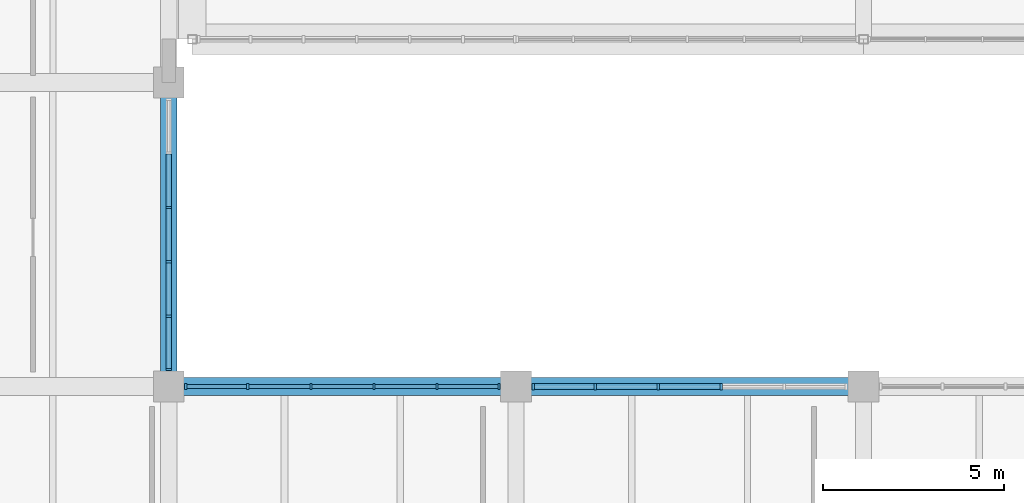
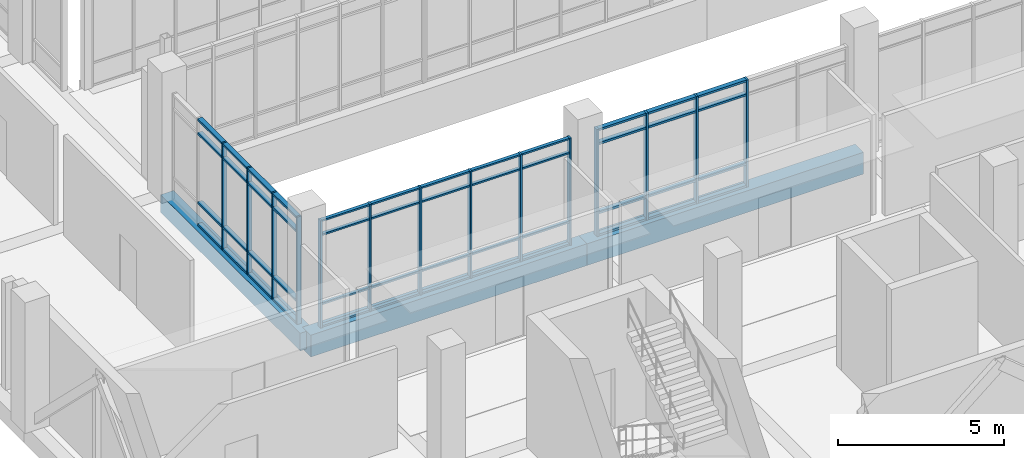
# One storey, part 44 of 152: 62 members, 3 beams, 3 elements without a shape of their own.
"""IFC4 building model written with IfcOpenShell, lengths in metres."""

from ifc_helpers import new_model, si_unit, direction, frame, origin, origin_2d, place, context, subcontext, project, spatial, rectangle, extrude, material, material_profile, profile_set, type_object, element, aggregate, save


model = new_model("IFC4")

# Units and contexts
model_context = context("Model", 3, precision=1e-05, world=origin(), true_north=direction((0.0, 1.0)))
body_context = subcontext(model_context, "Body", "Model", "MODEL_VIEW")
ifc_project = project(units=[si_unit("LENGTHUNIT", "METRE"), si_unit("AREAUNIT", "SQUARE_METRE"), si_unit("VOLUMEUNIT", "CUBIC_METRE"), si_unit("PLANEANGLEUNIT", "RADIAN"), si_unit("MASSUNIT", "GRAM", prefix="KILO")], contexts=[model_context])

# Site, building, storey
site_placement = place(None, origin())
site = spatial("IfcSite", under=ifc_project, at=site_placement, CompositionType="ELEMENT")
building_placement = place(site_placement, origin())
building = spatial("IfcBuilding", under=site, at=building_placement, Name="Oolite Switchyard Hospital", CompositionType="ELEMENT")
storey_placement = place(building_placement, frame((0.0, 0.0, 5.10009765625)))
storey = spatial("IfcBuildingStorey", under=building, at=storey_placement, Name="L01", CompositionType="ELEMENT", Elevation=5.10009765625)

# Beams
ifc_material_1 = material(Name="Concrete C40/50", Category="concrete")
ifc_material_profile_1 = material_profile(ifc_material_1, rectangle(XDim=0.449951171875, YDim=0.64990234375, at=origin_2d()), Name="RCB450X650")
ifc_profile_set_1 = profile_set([ifc_material_profile_1], Name="Concrete C40/50")
beam_type_1 = type_object("IfcBeamType", Name="BM-RC450X650", PredefinedType="BEAM", material=ifc_profile_set_1)
beam_1_placement = place(storey_placement, frame((144.0, 25.199951171875, -0.3251953125), z_axis=(0.0, 1.0, 0.0), x_axis=(-1.0, 0.0, 0.0)))
element("IfcBeam", 1, at=beam_1_placement, inside=storey, type_object=beam_type_1, Name="L01 Y-Girder 461", PredefinedType="BEAM", context=body_context, shape_type="SweptSolid", body=[
    extrude(rectangle(XDim=0.449951171875, YDim=0.64990234375, at=origin_2d()), origin(), (0.0, 0.0, 1.0), 8.400146484375),
])
ifc_material_profile_2 = material_profile(ifc_material_1, rectangle(XDim=0.5, YDim=0.800048828125, at=origin_2d()), Name="RCB500X800")
ifc_profile_set_2 = profile_set([ifc_material_profile_2], Name="Concrete C40/50")
beam_type_2 = type_object("IfcBeamType", Name="BM-RC500X800", PredefinedType="BEAM", material=ifc_profile_set_2)
beam_2_placement = place(storey_placement, frame((144.0, 25.199951171875, -0.400146484375), z_axis=(1.0, 0.0, 0.0), x_axis=(0.0, 1.0, 0.0)))
element("IfcBeam", 2, at=beam_2_placement, inside=storey, type_object=beam_type_2, Name="L01 X-Girder 55", PredefinedType="BEAM", context=body_context, shape_type="SweptSolid", body=[
    extrude(rectangle(XDim=0.5, YDim=0.800048828125, at=origin_2d()), origin(), (0.0, 0.0, 1.0), 9.60009765625),
])
beam_3_placement = place(storey_placement, frame((153.60009765625, 25.199951171875, -0.400146484375), z_axis=(1.0, 0.0, 0.0), x_axis=(0.0, 1.0, 0.0)))
element("IfcBeam", 3, at=beam_3_placement, inside=storey, type_object=beam_type_2, Name="L01 X-Girder 56", PredefinedType="BEAM", context=body_context, shape_type="SweptSolid", body=[
    extrude(rectangle(XDim=0.5, YDim=0.800048828125, at=origin_2d()), origin(), (0.0, 0.0, 1.0), 9.599853515625),
])

# Curtain wall, members
ifc_material_2 = material(Name="Thermally broken aluminum frame with laminated impact glazing", Category="aluminium")
curtain_wall_type_1 = type_object("IfcCurtainWallType", Name="CW-UNIT-96X48", PredefinedType="USERDEFINED", material=ifc_material_2)
curtain_wall_1_placement = place(storey_placement, origin())
curtain_wall_1 = element("IfcCurtainWall", 4, at=curtain_wall_1_placement, inside=storey, type_object=curtain_wall_type_1, Name="L01 Unitised Curtain Wall 104", ObjectType="UNITISED", PredefinedType="USERDEFINED")
ifc_material_3 = material(Name="Aluminium 6063-T6", Category="aluminium")
ifc_material_profile_3 = material_profile(ifc_material_3, rectangle(XDim=0.159912109375, YDim=0.06005859375, at=origin_2d()), Name="CWM60X160")
ifc_profile_set_3 = profile_set([ifc_material_profile_3], Name="Aluminium 6063-T6")
member_type_1 = type_object("IfcMemberType", Name="CW-MUL-180", PredefinedType="MULLION", material=ifc_profile_set_3)
member_1_placement = place(storey_placement, frame((144.469970703125, 25.199951171875, 0.0), z_axis=(0.0, 0.0, 1.0), x_axis=(0.0, 1.0, 0.0)))
member_1 = element("IfcMember", 5, at=member_1_placement, type_object=member_type_1, Name="CW-02 mullion 1", PredefinedType="MULLION", context=body_context, shape_type="SweptSolid", body=[
    extrude(rectangle(XDim=0.159912109375, YDim=0.06005859375, at=origin_2d()), origin(), (0.0, 0.0, 1.0), 3.93994140625),
])
member_2_placement = place(storey_placement, frame((146.18408203125, 25.199951171875, 0.0), z_axis=(0.0, 0.0, 1.0), x_axis=(0.0, 1.0, 0.0)))
member_2 = element("IfcMember", 6, at=member_2_placement, type_object=member_type_1, Name="CW-02 mullion 2", PredefinedType="MULLION", context=body_context, shape_type="SweptSolid", body=[
    extrude(rectangle(XDim=0.159912109375, YDim=0.06005859375, at=origin_2d()), origin(), (0.0, 0.0, 1.0), 3.93994140625),
])
member_3_placement = place(storey_placement, frame((147.927978515625, 25.199951171875, 0.0), z_axis=(0.0, 0.0, 1.0), x_axis=(0.0, 1.0, 0.0)))
member_3 = element("IfcMember", 7, at=member_3_placement, type_object=member_type_1, Name="CW-02 mullion 3", PredefinedType="MULLION", context=body_context, shape_type="SweptSolid", body=[
    extrude(rectangle(XDim=0.159912109375, YDim=0.06005859375, at=origin_2d()), origin(), (0.0, 0.0, 1.0), 3.93994140625),
])
member_4_placement = place(storey_placement, frame((149.672119140625, 25.199951171875, 0.0), z_axis=(0.0, 0.0, 1.0), x_axis=(0.0, 1.0, 0.0)))
member_4 = element("IfcMember", 8, at=member_4_placement, type_object=member_type_1, Name="CW-02 mullion 4", PredefinedType="MULLION", context=body_context, shape_type="SweptSolid", body=[
    extrude(rectangle(XDim=0.159912109375, YDim=0.06005859375, at=origin_2d()), origin(), (0.0, 0.0, 1.0), 3.93994140625),
])
member_5_placement = place(storey_placement, frame((151.416015625, 25.199951171875, 0.0), z_axis=(0.0, 0.0, 1.0), x_axis=(0.0, 1.0, 0.0)))
member_5 = element("IfcMember", 9, at=member_5_placement, type_object=member_type_1, Name="CW-02 mullion 5", PredefinedType="MULLION", context=body_context, shape_type="SweptSolid", body=[
    extrude(rectangle(XDim=0.159912109375, YDim=0.06005859375, at=origin_2d()), origin(), (0.0, 0.0, 1.0), 3.93994140625),
])
member_6_placement = place(storey_placement, frame((153.1298828125, 25.199951171875, 0.0), z_axis=(0.0, 0.0, 1.0), x_axis=(0.0, 1.0, 0.0)))
member_6 = element("IfcMember", 10, at=member_6_placement, type_object=member_type_1, Name="CW-02 mullion 6", PredefinedType="MULLION", context=body_context, shape_type="SweptSolid", body=[
    extrude(rectangle(XDim=0.159912109375, YDim=0.06005859375, at=origin_2d()), origin(), (0.0, 0.0, 1.0), 3.93994140625),
])

curtain_wall_type_2 = type_object("IfcCurtainWallType", Name="CW-UNIT-84X48", PredefinedType="USERDEFINED", material=ifc_material_2)
curtain_wall_2_placement = place(storey_placement, origin())
curtain_wall_2 = element("IfcCurtainWall", 11, at=curtain_wall_2_placement, inside=storey, type_object=curtain_wall_type_2, Name="L01 Unitised Curtain Wall 191", ObjectType="UNITISED", PredefinedType="USERDEFINED")
member_7_placement = place(storey_placement, frame((144.0, 30.152099609375, 0.0), z_axis=(0.0, 0.0, 1.0), x_axis=(1.0, 0.0, 0.0)))
member_7 = element("IfcMember", 12, at=member_7_placement, type_object=member_type_1, Name="CW-07 mullion 3", PredefinedType="MULLION", context=body_context, shape_type="SweptSolid", body=[
    extrude(rectangle(XDim=0.159912109375, YDim=0.06005859375, at=origin_2d()), origin(), (0.0, 0.0, 1.0), 3.93994140625),
])
member_8_placement = place(storey_placement, frame((144.0, 28.64794921875, 0.0), z_axis=(0.0, 0.0, 1.0), x_axis=(1.0, 0.0, 0.0)))
member_8 = element("IfcMember", 13, at=member_8_placement, type_object=member_type_1, Name="CW-07 mullion 4", PredefinedType="MULLION", context=body_context, shape_type="SweptSolid", body=[
    extrude(rectangle(XDim=0.159912109375, YDim=0.06005859375, at=origin_2d()), origin(), (0.0, 0.0, 1.0), 3.93994140625),
])
member_9_placement = place(storey_placement, frame((144.0, 27.14404296875, 0.0), z_axis=(0.0, 0.0, 1.0), x_axis=(1.0, 0.0, 0.0)))
member_9 = element("IfcMember", 14, at=member_9_placement, type_object=member_type_1, Name="CW-07 mullion 5", PredefinedType="MULLION", context=body_context, shape_type="SweptSolid", body=[
    extrude(rectangle(XDim=0.159912109375, YDim=0.06005859375, at=origin_2d()), origin(), (0.0, 0.0, 1.0), 3.93994140625),
])
member_10_placement = place(storey_placement, frame((144.0, 25.669921875, 0.0), z_axis=(0.0, 0.0, 1.0), x_axis=(1.0, 0.0, 0.0)))
member_10 = element("IfcMember", 15, at=member_10_placement, type_object=member_type_1, Name="CW-07 mullion 6", PredefinedType="MULLION", context=body_context, shape_type="SweptSolid", body=[
    extrude(rectangle(XDim=0.159912109375, YDim=0.06005859375, at=origin_2d()), origin(), (0.0, 0.0, 1.0), 3.93994140625),
])

curtain_wall_3_placement = place(storey_placement, origin())
curtain_wall_3 = element("IfcCurtainWall", 16, at=curtain_wall_3_placement, inside=storey, type_object=curtain_wall_type_1, Name="L01 Unitised Curtain Wall 105", ObjectType="UNITISED", PredefinedType="USERDEFINED")
ifc_material_profile_4 = material_profile(ifc_material_3, rectangle(XDim=0.179931640625, YDim=0.070068359375, at=origin_2d()), Name="CWM70X180")
ifc_profile_set_4 = profile_set([ifc_material_profile_4], Name="Aluminium 6063-T6")
member_type_2 = type_object("IfcMemberType", Name="CW-MUL-220", PredefinedType="MULLION", material=ifc_profile_set_4)
member_11_placement = place(storey_placement, frame((154.074951171875, 25.199951171875, 0.0), z_axis=(0.0, 0.0, 1.0), x_axis=(0.0, 1.0, 0.0)))
member_11 = element("IfcMember", 17, at=member_11_placement, type_object=member_type_2, Name="CW-02 mullion 1", PredefinedType="MULLION", context=body_context, shape_type="SweptSolid", body=[
    extrude(rectangle(XDim=0.179931640625, YDim=0.070068359375, at=origin_2d()), origin(), (0.0, 0.0, 1.0), 3.93994140625),
])
member_12_placement = place(storey_placement, frame((155.783935546875, 25.199951171875, 0.0), z_axis=(0.0, 0.0, 1.0), x_axis=(0.0, 1.0, 0.0)))
member_12 = element("IfcMember", 18, at=member_12_placement, type_object=member_type_2, Name="CW-02 mullion 2", PredefinedType="MULLION", context=body_context, shape_type="SweptSolid", body=[
    extrude(rectangle(XDim=0.179931640625, YDim=0.070068359375, at=origin_2d()), origin(), (0.0, 0.0, 1.0), 3.93994140625),
])
member_13_placement = place(storey_placement, frame((157.528076171875, 25.199951171875, 0.0), z_axis=(0.0, 0.0, 1.0), x_axis=(0.0, 1.0, 0.0)))
member_13 = element("IfcMember", 19, at=member_13_placement, type_object=member_type_2, Name="CW-02 mullion 3", PredefinedType="MULLION", context=body_context, shape_type="SweptSolid", body=[
    extrude(rectangle(XDim=0.179931640625, YDim=0.070068359375, at=origin_2d()), origin(), (0.0, 0.0, 1.0), 3.93994140625),
])
member_14_placement = place(storey_placement, frame((159.27197265625, 25.199951171875, 0.0), z_axis=(0.0, 0.0, 1.0), x_axis=(0.0, 1.0, 0.0)))
member_14 = element("IfcMember", 20, at=member_14_placement, type_object=member_type_2, Name="CW-02 mullion 4", PredefinedType="MULLION", context=body_context, shape_type="SweptSolid", body=[
    extrude(rectangle(XDim=0.179931640625, YDim=0.070068359375, at=origin_2d()), origin(), (0.0, 0.0, 1.0), 3.93994140625),
])

# Member
ifc_material_profile_5 = material_profile(ifc_material_3, rectangle(XDim=0.1201171875, YDim=0.06005859375, at=origin_2d()), Name="CWT60X120")
ifc_profile_set_5 = profile_set([ifc_material_profile_5], Name="Aluminium 6063-T6")
member_type_3 = type_object("IfcMemberType", Name="CW-TRN-150", PredefinedType="USERDEFINED", material=ifc_profile_set_5)
member_15_placement = place(storey_placement, frame((144.5, 25.199951171875, 0.02978515625), z_axis=(1.0, 0.0, 0.0), x_axis=(0.0, 1.0, 0.0)))
member_15 = element("IfcMember", 21, at=member_15_placement, type_object=member_type_3, Name="CW-02 transom 1.1", ObjectType="TRANSOM", PredefinedType="USERDEFINED", context=body_context, shape_type="SweptSolid", body=[
    extrude(rectangle(XDim=0.1201171875, YDim=0.06005859375, at=origin_2d()), origin(), (0.0, 0.0, 1.0), 1.654052734375),
])

member_16_placement = place(storey_placement, frame((144.5, 25.199951171875, 0.849853515625), z_axis=(1.0, 0.0, 0.0), x_axis=(0.0, 1.0, 0.0)))
member_16 = element("IfcMember", 22, at=member_16_placement, type_object=member_type_3, Name="CW-02 transom 1.2", ObjectType="TRANSOM", PredefinedType="USERDEFINED", context=body_context, shape_type="SweptSolid", body=[
    extrude(rectangle(XDim=0.1201171875, YDim=0.06005859375, at=origin_2d()), origin(), (0.0, 0.0, 1.0), 1.654052734375),
])

member_17_placement = place(storey_placement, frame((144.5, 25.199951171875, 3.389892578125), z_axis=(1.0, 0.0, 0.0), x_axis=(0.0, 1.0, 0.0)))
member_17 = element("IfcMember", 23, at=member_17_placement, type_object=member_type_3, Name="CW-02 transom 1.3", ObjectType="TRANSOM", PredefinedType="USERDEFINED", context=body_context, shape_type="SweptSolid", body=[
    extrude(rectangle(XDim=0.1201171875, YDim=0.06005859375, at=origin_2d()), origin(), (0.0, 0.0, 1.0), 1.654052734375),
])

member_18_placement = place(storey_placement, frame((144.5, 25.199951171875, 3.909912109375), z_axis=(1.0, 0.0, 0.0), x_axis=(0.0, 1.0, 0.0)))
member_18 = element("IfcMember", 24, at=member_18_placement, type_object=member_type_3, Name="CW-02 transom 1.4", ObjectType="TRANSOM", PredefinedType="USERDEFINED", context=body_context, shape_type="SweptSolid", body=[
    extrude(rectangle(XDim=0.1201171875, YDim=0.06005859375, at=origin_2d()), origin(), (0.0, 0.0, 1.0), 1.654052734375),
])

member_19_placement = place(storey_placement, frame((146.214111328125, 25.199951171875, 0.02978515625), z_axis=(1.0, 0.0, 0.0), x_axis=(0.0, 1.0, 0.0)))
member_19 = element("IfcMember", 25, at=member_19_placement, type_object=member_type_3, Name="CW-02 transom 2.1", ObjectType="TRANSOM", PredefinedType="USERDEFINED", context=body_context, shape_type="SweptSolid", body=[
    extrude(rectangle(XDim=0.1201171875, YDim=0.06005859375, at=origin_2d()), origin(), (0.0, 0.0, 1.0), 1.683837890625),
])

member_20_placement = place(storey_placement, frame((146.214111328125, 25.199951171875, 0.849853515625), z_axis=(1.0, 0.0, 0.0), x_axis=(0.0, 1.0, 0.0)))
member_20 = element("IfcMember", 26, at=member_20_placement, type_object=member_type_3, Name="CW-02 transom 2.2", ObjectType="TRANSOM", PredefinedType="USERDEFINED", context=body_context, shape_type="SweptSolid", body=[
    extrude(rectangle(XDim=0.1201171875, YDim=0.06005859375, at=origin_2d()), origin(), (0.0, 0.0, 1.0), 1.683837890625),
])

member_21_placement = place(storey_placement, frame((146.214111328125, 25.199951171875, 3.389892578125), z_axis=(1.0, 0.0, 0.0), x_axis=(0.0, 1.0, 0.0)))
member_21 = element("IfcMember", 27, at=member_21_placement, type_object=member_type_3, Name="CW-02 transom 2.3", ObjectType="TRANSOM", PredefinedType="USERDEFINED", context=body_context, shape_type="SweptSolid", body=[
    extrude(rectangle(XDim=0.1201171875, YDim=0.06005859375, at=origin_2d()), origin(), (0.0, 0.0, 1.0), 1.683837890625),
])

member_22_placement = place(storey_placement, frame((146.214111328125, 25.199951171875, 3.909912109375), z_axis=(1.0, 0.0, 0.0), x_axis=(0.0, 1.0, 0.0)))
member_22 = element("IfcMember", 28, at=member_22_placement, type_object=member_type_3, Name="CW-02 transom 2.4", ObjectType="TRANSOM", PredefinedType="USERDEFINED", context=body_context, shape_type="SweptSolid", body=[
    extrude(rectangle(XDim=0.1201171875, YDim=0.06005859375, at=origin_2d()), origin(), (0.0, 0.0, 1.0), 1.683837890625),
])

member_23_placement = place(storey_placement, frame((147.9580078125, 25.199951171875, 0.02978515625), z_axis=(1.0, 0.0, 0.0), x_axis=(0.0, 1.0, 0.0)))
member_23 = element("IfcMember", 29, at=member_23_placement, type_object=member_type_3, Name="CW-02 transom 3.1", ObjectType="TRANSOM", PredefinedType="USERDEFINED", context=body_context, shape_type="SweptSolid", body=[
    extrude(rectangle(XDim=0.1201171875, YDim=0.06005859375, at=origin_2d()), origin(), (0.0, 0.0, 1.0), 1.68408203125),
])

member_24_placement = place(storey_placement, frame((147.9580078125, 25.199951171875, 0.849853515625), z_axis=(1.0, 0.0, 0.0), x_axis=(0.0, 1.0, 0.0)))
member_24 = element("IfcMember", 30, at=member_24_placement, type_object=member_type_3, Name="CW-02 transom 3.2", ObjectType="TRANSOM", PredefinedType="USERDEFINED", context=body_context, shape_type="SweptSolid", body=[
    extrude(rectangle(XDim=0.1201171875, YDim=0.06005859375, at=origin_2d()), origin(), (0.0, 0.0, 1.0), 1.68408203125),
])

member_25_placement = place(storey_placement, frame((147.9580078125, 25.199951171875, 3.389892578125), z_axis=(1.0, 0.0, 0.0), x_axis=(0.0, 1.0, 0.0)))
member_25 = element("IfcMember", 31, at=member_25_placement, type_object=member_type_3, Name="CW-02 transom 3.3", ObjectType="TRANSOM", PredefinedType="USERDEFINED", context=body_context, shape_type="SweptSolid", body=[
    extrude(rectangle(XDim=0.1201171875, YDim=0.06005859375, at=origin_2d()), origin(), (0.0, 0.0, 1.0), 1.68408203125),
])

member_26_placement = place(storey_placement, frame((147.9580078125, 25.199951171875, 3.909912109375), z_axis=(1.0, 0.0, 0.0), x_axis=(0.0, 1.0, 0.0)))
member_26 = element("IfcMember", 32, at=member_26_placement, type_object=member_type_3, Name="CW-02 transom 3.4", ObjectType="TRANSOM", PredefinedType="USERDEFINED", context=body_context, shape_type="SweptSolid", body=[
    extrude(rectangle(XDim=0.1201171875, YDim=0.06005859375, at=origin_2d()), origin(), (0.0, 0.0, 1.0), 1.68408203125),
])

member_27_placement = place(storey_placement, frame((149.701904296875, 25.199951171875, 0.02978515625), z_axis=(1.0, 0.0, 0.0), x_axis=(0.0, 1.0, 0.0)))
member_27 = element("IfcMember", 33, at=member_27_placement, type_object=member_type_3, Name="CW-02 transom 4.1", ObjectType="TRANSOM", PredefinedType="USERDEFINED", context=body_context, shape_type="SweptSolid", body=[
    extrude(rectangle(XDim=0.1201171875, YDim=0.06005859375, at=origin_2d()), origin(), (0.0, 0.0, 1.0), 1.68408203125),
])

member_28_placement = place(storey_placement, frame((149.701904296875, 25.199951171875, 0.849853515625), z_axis=(1.0, 0.0, 0.0), x_axis=(0.0, 1.0, 0.0)))
member_28 = element("IfcMember", 34, at=member_28_placement, type_object=member_type_3, Name="CW-02 transom 4.2", ObjectType="TRANSOM", PredefinedType="USERDEFINED", context=body_context, shape_type="SweptSolid", body=[
    extrude(rectangle(XDim=0.1201171875, YDim=0.06005859375, at=origin_2d()), origin(), (0.0, 0.0, 1.0), 1.68408203125),
])

member_29_placement = place(storey_placement, frame((149.701904296875, 25.199951171875, 3.389892578125), z_axis=(1.0, 0.0, 0.0), x_axis=(0.0, 1.0, 0.0)))
member_29 = element("IfcMember", 35, at=member_29_placement, type_object=member_type_3, Name="CW-02 transom 4.3", ObjectType="TRANSOM", PredefinedType="USERDEFINED", context=body_context, shape_type="SweptSolid", body=[
    extrude(rectangle(XDim=0.1201171875, YDim=0.06005859375, at=origin_2d()), origin(), (0.0, 0.0, 1.0), 1.68408203125),
])

member_30_placement = place(storey_placement, frame((149.701904296875, 25.199951171875, 3.909912109375), z_axis=(1.0, 0.0, 0.0), x_axis=(0.0, 1.0, 0.0)))
member_30 = element("IfcMember", 36, at=member_30_placement, type_object=member_type_3, Name="CW-02 transom 4.4", ObjectType="TRANSOM", PredefinedType="USERDEFINED", context=body_context, shape_type="SweptSolid", body=[
    extrude(rectangle(XDim=0.1201171875, YDim=0.06005859375, at=origin_2d()), origin(), (0.0, 0.0, 1.0), 1.68408203125),
])

member_31_placement = place(storey_placement, frame((151.446044921875, 25.199951171875, 0.02978515625), z_axis=(1.0, 0.0, 0.0), x_axis=(0.0, 1.0, 0.0)))
member_31 = element("IfcMember", 37, at=member_31_placement, type_object=member_type_3, Name="CW-02 transom 5.1", ObjectType="TRANSOM", PredefinedType="USERDEFINED", context=body_context, shape_type="SweptSolid", body=[
    extrude(rectangle(XDim=0.1201171875, YDim=0.06005859375, at=origin_2d()), origin(), (0.0, 0.0, 1.0), 1.654052734375),
])

member_32_placement = place(storey_placement, frame((151.446044921875, 25.199951171875, 0.849853515625), z_axis=(1.0, 0.0, 0.0), x_axis=(0.0, 1.0, 0.0)))
member_32 = element("IfcMember", 38, at=member_32_placement, type_object=member_type_3, Name="CW-02 transom 5.2", ObjectType="TRANSOM", PredefinedType="USERDEFINED", context=body_context, shape_type="SweptSolid", body=[
    extrude(rectangle(XDim=0.1201171875, YDim=0.06005859375, at=origin_2d()), origin(), (0.0, 0.0, 1.0), 1.654052734375),
])

member_33_placement = place(storey_placement, frame((151.446044921875, 25.199951171875, 3.389892578125), z_axis=(1.0, 0.0, 0.0), x_axis=(0.0, 1.0, 0.0)))
member_33 = element("IfcMember", 39, at=member_33_placement, type_object=member_type_3, Name="CW-02 transom 5.3", ObjectType="TRANSOM", PredefinedType="USERDEFINED", context=body_context, shape_type="SweptSolid", body=[
    extrude(rectangle(XDim=0.1201171875, YDim=0.06005859375, at=origin_2d()), origin(), (0.0, 0.0, 1.0), 1.654052734375),
])

member_34_placement = place(storey_placement, frame((151.446044921875, 25.199951171875, 3.909912109375), z_axis=(1.0, 0.0, 0.0), x_axis=(0.0, 1.0, 0.0)))
member_34 = element("IfcMember", 40, at=member_34_placement, type_object=member_type_3, Name="CW-02 transom 5.4", ObjectType="TRANSOM", PredefinedType="USERDEFINED", context=body_context, shape_type="SweptSolid", body=[
    extrude(rectangle(XDim=0.1201171875, YDim=0.06005859375, at=origin_2d()), origin(), (0.0, 0.0, 1.0), 1.654052734375),
])

aggregate(curtain_wall_1, [member_1, member_2, member_3, member_4, member_5, member_6, member_15, member_16, member_17, member_18, member_19, member_20, member_21, member_22, member_23, member_24, member_25, member_26, member_27, member_28, member_29, member_30, member_31, member_32, member_33, member_34])

ifc_material_profile_6 = material_profile(ifc_material_3, rectangle(XDim=0.159912109375, YDim=0.074951171875, at=origin_2d()), Name="CWT75X160")
ifc_profile_set_6 = profile_set([ifc_material_profile_6], Name="Aluminium 6063-T6")
member_type_4 = type_object("IfcMemberType", Name="CW-TRN-180", PredefinedType="USERDEFINED", material=ifc_profile_set_6)
member_35_placement = place(storey_placement, frame((154.110107421875, 25.199951171875, 0.037353515625), z_axis=(1.0, 0.0, 0.0), x_axis=(0.0, 1.0, 0.0)))
member_35 = element("IfcMember", 41, at=member_35_placement, type_object=member_type_4, Name="CW-02 transom 1.1", ObjectType="TRANSOM", PredefinedType="USERDEFINED", context=body_context, shape_type="SweptSolid", body=[
    extrude(rectangle(XDim=0.159912109375, YDim=0.074951171875, at=origin_2d()), origin(), (0.0, 0.0, 1.0), 1.638916015625),
])

member_36_placement = place(storey_placement, frame((154.110107421875, 25.199951171875, 0.849853515625), z_axis=(1.0, 0.0, 0.0), x_axis=(0.0, 1.0, 0.0)))
member_36 = element("IfcMember", 42, at=member_36_placement, type_object=member_type_4, Name="CW-02 transom 1.2", ObjectType="TRANSOM", PredefinedType="USERDEFINED", context=body_context, shape_type="SweptSolid", body=[
    extrude(rectangle(XDim=0.159912109375, YDim=0.074951171875, at=origin_2d()), origin(), (0.0, 0.0, 1.0), 1.638916015625),
])

member_37_placement = place(storey_placement, frame((154.110107421875, 25.199951171875, 3.389892578125), z_axis=(1.0, 0.0, 0.0), x_axis=(0.0, 1.0, 0.0)))
member_37 = element("IfcMember", 43, at=member_37_placement, type_object=member_type_4, Name="CW-02 transom 1.3", ObjectType="TRANSOM", PredefinedType="USERDEFINED", context=body_context, shape_type="SweptSolid", body=[
    extrude(rectangle(XDim=0.159912109375, YDim=0.074951171875, at=origin_2d()), origin(), (0.0, 0.0, 1.0), 1.638916015625),
])

member_38_placement = place(storey_placement, frame((154.110107421875, 25.199951171875, 3.90234375), z_axis=(1.0, 0.0, 0.0), x_axis=(0.0, 1.0, 0.0)))
member_38 = element("IfcMember", 44, at=member_38_placement, type_object=member_type_4, Name="CW-02 transom 1.4", ObjectType="TRANSOM", PredefinedType="USERDEFINED", context=body_context, shape_type="SweptSolid", body=[
    extrude(rectangle(XDim=0.159912109375, YDim=0.074951171875, at=origin_2d()), origin(), (0.0, 0.0, 1.0), 1.638916015625),
])

member_39_placement = place(storey_placement, frame((155.819091796875, 25.199951171875, 0.037353515625), z_axis=(1.0, 0.0, 0.0), x_axis=(0.0, 1.0, 0.0)))
member_39 = element("IfcMember", 45, at=member_39_placement, type_object=member_type_4, Name="CW-02 transom 2.1", ObjectType="TRANSOM", PredefinedType="USERDEFINED", context=body_context, shape_type="SweptSolid", body=[
    extrude(rectangle(XDim=0.159912109375, YDim=0.074951171875, at=origin_2d()), origin(), (0.0, 0.0, 1.0), 1.673828125),
])

member_40_placement = place(storey_placement, frame((155.819091796875, 25.199951171875, 0.849853515625), z_axis=(1.0, 0.0, 0.0), x_axis=(0.0, 1.0, 0.0)))
member_40 = element("IfcMember", 46, at=member_40_placement, type_object=member_type_4, Name="CW-02 transom 2.2", ObjectType="TRANSOM", PredefinedType="USERDEFINED", context=body_context, shape_type="SweptSolid", body=[
    extrude(rectangle(XDim=0.159912109375, YDim=0.074951171875, at=origin_2d()), origin(), (0.0, 0.0, 1.0), 1.673828125),
])

member_41_placement = place(storey_placement, frame((155.819091796875, 25.199951171875, 3.389892578125), z_axis=(1.0, 0.0, 0.0), x_axis=(0.0, 1.0, 0.0)))
member_41 = element("IfcMember", 47, at=member_41_placement, type_object=member_type_4, Name="CW-02 transom 2.3", ObjectType="TRANSOM", PredefinedType="USERDEFINED", context=body_context, shape_type="SweptSolid", body=[
    extrude(rectangle(XDim=0.159912109375, YDim=0.074951171875, at=origin_2d()), origin(), (0.0, 0.0, 1.0), 1.673828125),
])

member_42_placement = place(storey_placement, frame((155.819091796875, 25.199951171875, 3.90234375), z_axis=(1.0, 0.0, 0.0), x_axis=(0.0, 1.0, 0.0)))
member_42 = element("IfcMember", 48, at=member_42_placement, type_object=member_type_4, Name="CW-02 transom 2.4", ObjectType="TRANSOM", PredefinedType="USERDEFINED", context=body_context, shape_type="SweptSolid", body=[
    extrude(rectangle(XDim=0.159912109375, YDim=0.074951171875, at=origin_2d()), origin(), (0.0, 0.0, 1.0), 1.673828125),
])

member_43_placement = place(storey_placement, frame((157.56298828125, 25.199951171875, 0.037353515625), z_axis=(1.0, 0.0, 0.0), x_axis=(0.0, 1.0, 0.0)))
member_43 = element("IfcMember", 49, at=member_43_placement, type_object=member_type_4, Name="CW-02 transom 3.1", ObjectType="TRANSOM", PredefinedType="USERDEFINED", context=body_context, shape_type="SweptSolid", body=[
    extrude(rectangle(XDim=0.159912109375, YDim=0.074951171875, at=origin_2d()), origin(), (0.0, 0.0, 1.0), 1.674072265625),
])

member_44_placement = place(storey_placement, frame((157.56298828125, 25.199951171875, 0.849853515625), z_axis=(1.0, 0.0, 0.0), x_axis=(0.0, 1.0, 0.0)))
member_44 = element("IfcMember", 50, at=member_44_placement, type_object=member_type_4, Name="CW-02 transom 3.2", ObjectType="TRANSOM", PredefinedType="USERDEFINED", context=body_context, shape_type="SweptSolid", body=[
    extrude(rectangle(XDim=0.159912109375, YDim=0.074951171875, at=origin_2d()), origin(), (0.0, 0.0, 1.0), 1.674072265625),
])

member_45_placement = place(storey_placement, frame((157.56298828125, 25.199951171875, 3.389892578125), z_axis=(1.0, 0.0, 0.0), x_axis=(0.0, 1.0, 0.0)))
member_45 = element("IfcMember", 51, at=member_45_placement, type_object=member_type_4, Name="CW-02 transom 3.3", ObjectType="TRANSOM", PredefinedType="USERDEFINED", context=body_context, shape_type="SweptSolid", body=[
    extrude(rectangle(XDim=0.159912109375, YDim=0.074951171875, at=origin_2d()), origin(), (0.0, 0.0, 1.0), 1.674072265625),
])

member_46_placement = place(storey_placement, frame((157.56298828125, 25.199951171875, 3.90234375), z_axis=(1.0, 0.0, 0.0), x_axis=(0.0, 1.0, 0.0)))
member_46 = element("IfcMember", 52, at=member_46_placement, type_object=member_type_4, Name="CW-02 transom 3.4", ObjectType="TRANSOM", PredefinedType="USERDEFINED", context=body_context, shape_type="SweptSolid", body=[
    extrude(rectangle(XDim=0.159912109375, YDim=0.074951171875, at=origin_2d()), origin(), (0.0, 0.0, 1.0), 1.674072265625),
])

aggregate(curtain_wall_3, [member_11, member_12, member_13, member_14, member_35, member_36, member_37, member_38, member_39, member_40, member_41, member_42, member_43, member_44, member_45, member_46])

member_47_placement = place(storey_placement, frame((144.0, 31.6259765625, 0.037353515625), z_axis=(0.0, -1.0, 0.0), x_axis=(1.0, 0.0, 0.0)))
member_47 = element("IfcMember", 53, at=member_47_placement, type_object=member_type_4, Name="CW-07 transom 2.1", ObjectType="TRANSOM", PredefinedType="USERDEFINED", context=body_context, shape_type="SweptSolid", body=[
    extrude(rectangle(XDim=0.159912109375, YDim=0.074951171875, at=origin_2d()), origin(), (0.0, 0.0, 1.0), 1.444091796875),
])

member_48_placement = place(storey_placement, frame((144.0, 31.6259765625, 0.849853515625), z_axis=(0.0, -1.0, 0.0), x_axis=(1.0, 0.0, 0.0)))
member_48 = element("IfcMember", 54, at=member_48_placement, type_object=member_type_4, Name="CW-07 transom 2.2", ObjectType="TRANSOM", PredefinedType="USERDEFINED", context=body_context, shape_type="SweptSolid", body=[
    extrude(rectangle(XDim=0.159912109375, YDim=0.074951171875, at=origin_2d()), origin(), (0.0, 0.0, 1.0), 1.444091796875),
])

member_49_placement = place(storey_placement, frame((144.0, 31.6259765625, 3.389892578125), z_axis=(0.0, -1.0, 0.0), x_axis=(1.0, 0.0, 0.0)))
member_49 = element("IfcMember", 55, at=member_49_placement, type_object=member_type_4, Name="CW-07 transom 2.3", ObjectType="TRANSOM", PredefinedType="USERDEFINED", context=body_context, shape_type="SweptSolid", body=[
    extrude(rectangle(XDim=0.159912109375, YDim=0.074951171875, at=origin_2d()), origin(), (0.0, 0.0, 1.0), 1.444091796875),
])

member_50_placement = place(storey_placement, frame((144.0, 31.6259765625, 3.90234375), z_axis=(0.0, -1.0, 0.0), x_axis=(1.0, 0.0, 0.0)))
member_50 = element("IfcMember", 56, at=member_50_placement, type_object=member_type_4, Name="CW-07 transom 2.4", ObjectType="TRANSOM", PredefinedType="USERDEFINED", context=body_context, shape_type="SweptSolid", body=[
    extrude(rectangle(XDim=0.159912109375, YDim=0.074951171875, at=origin_2d()), origin(), (0.0, 0.0, 1.0), 1.444091796875),
])

member_51_placement = place(storey_placement, frame((144.0, 30.1220703125, 0.037353515625), z_axis=(0.0, -1.0, 0.0), x_axis=(1.0, 0.0, 0.0)))
member_51 = element("IfcMember", 57, at=member_51_placement, type_object=member_type_4, Name="CW-07 transom 3.1", ObjectType="TRANSOM", PredefinedType="USERDEFINED", context=body_context, shape_type="SweptSolid", body=[
    extrude(rectangle(XDim=0.159912109375, YDim=0.074951171875, at=origin_2d()), origin(), (0.0, 0.0, 1.0), 1.444091796875),
])

member_52_placement = place(storey_placement, frame((144.0, 30.1220703125, 0.849853515625), z_axis=(0.0, -1.0, 0.0), x_axis=(1.0, 0.0, 0.0)))
member_52 = element("IfcMember", 58, at=member_52_placement, type_object=member_type_4, Name="CW-07 transom 3.2", ObjectType="TRANSOM", PredefinedType="USERDEFINED", context=body_context, shape_type="SweptSolid", body=[
    extrude(rectangle(XDim=0.159912109375, YDim=0.074951171875, at=origin_2d()), origin(), (0.0, 0.0, 1.0), 1.444091796875),
])

member_53_placement = place(storey_placement, frame((144.0, 30.1220703125, 3.389892578125), z_axis=(0.0, -1.0, 0.0), x_axis=(1.0, 0.0, 0.0)))
member_53 = element("IfcMember", 59, at=member_53_placement, type_object=member_type_4, Name="CW-07 transom 3.3", ObjectType="TRANSOM", PredefinedType="USERDEFINED", context=body_context, shape_type="SweptSolid", body=[
    extrude(rectangle(XDim=0.159912109375, YDim=0.074951171875, at=origin_2d()), origin(), (0.0, 0.0, 1.0), 1.444091796875),
])

member_54_placement = place(storey_placement, frame((144.0, 30.1220703125, 3.90234375), z_axis=(0.0, -1.0, 0.0), x_axis=(1.0, 0.0, 0.0)))
member_54 = element("IfcMember", 60, at=member_54_placement, type_object=member_type_4, Name="CW-07 transom 3.4", ObjectType="TRANSOM", PredefinedType="USERDEFINED", context=body_context, shape_type="SweptSolid", body=[
    extrude(rectangle(XDim=0.159912109375, YDim=0.074951171875, at=origin_2d()), origin(), (0.0, 0.0, 1.0), 1.444091796875),
])

member_55_placement = place(storey_placement, frame((144.0, 28.617919921875, 0.037353515625), z_axis=(0.0, -1.0, 0.0), x_axis=(1.0, 0.0, 0.0)))
member_55 = element("IfcMember", 61, at=member_55_placement, type_object=member_type_4, Name="CW-07 transom 4.1", ObjectType="TRANSOM", PredefinedType="USERDEFINED", context=body_context, shape_type="SweptSolid", body=[
    extrude(rectangle(XDim=0.159912109375, YDim=0.074951171875, at=origin_2d()), origin(), (0.0, 0.0, 1.0), 1.44384765625),
])

member_56_placement = place(storey_placement, frame((144.0, 28.617919921875, 0.849853515625), z_axis=(0.0, -1.0, 0.0), x_axis=(1.0, 0.0, 0.0)))
member_56 = element("IfcMember", 62, at=member_56_placement, type_object=member_type_4, Name="CW-07 transom 4.2", ObjectType="TRANSOM", PredefinedType="USERDEFINED", context=body_context, shape_type="SweptSolid", body=[
    extrude(rectangle(XDim=0.159912109375, YDim=0.074951171875, at=origin_2d()), origin(), (0.0, 0.0, 1.0), 1.44384765625),
])

member_57_placement = place(storey_placement, frame((144.0, 28.617919921875, 3.389892578125), z_axis=(0.0, -1.0, 0.0), x_axis=(1.0, 0.0, 0.0)))
member_57 = element("IfcMember", 63, at=member_57_placement, type_object=member_type_4, Name="CW-07 transom 4.3", ObjectType="TRANSOM", PredefinedType="USERDEFINED", context=body_context, shape_type="SweptSolid", body=[
    extrude(rectangle(XDim=0.159912109375, YDim=0.074951171875, at=origin_2d()), origin(), (0.0, 0.0, 1.0), 1.44384765625),
])

member_58_placement = place(storey_placement, frame((144.0, 28.617919921875, 3.90234375), z_axis=(0.0, -1.0, 0.0), x_axis=(1.0, 0.0, 0.0)))
member_58 = element("IfcMember", 64, at=member_58_placement, type_object=member_type_4, Name="CW-07 transom 4.4", ObjectType="TRANSOM", PredefinedType="USERDEFINED", context=body_context, shape_type="SweptSolid", body=[
    extrude(rectangle(XDim=0.159912109375, YDim=0.074951171875, at=origin_2d()), origin(), (0.0, 0.0, 1.0), 1.44384765625),
])

member_59_placement = place(storey_placement, frame((144.0, 27.114013671875, 0.037353515625), z_axis=(0.0, -1.0, 0.0), x_axis=(1.0, 0.0, 0.0)))
member_59 = element("IfcMember", 65, at=member_59_placement, type_object=member_type_4, Name="CW-07 transom 5.1", ObjectType="TRANSOM", PredefinedType="USERDEFINED", context=body_context, shape_type="SweptSolid", body=[
    extrude(rectangle(XDim=0.159912109375, YDim=0.074951171875, at=origin_2d()), origin(), (0.0, 0.0, 1.0), 1.4140625),
])

member_60_placement = place(storey_placement, frame((144.0, 27.114013671875, 0.849853515625), z_axis=(0.0, -1.0, 0.0), x_axis=(1.0, 0.0, 0.0)))
member_60 = element("IfcMember", 66, at=member_60_placement, type_object=member_type_4, Name="CW-07 transom 5.2", ObjectType="TRANSOM", PredefinedType="USERDEFINED", context=body_context, shape_type="SweptSolid", body=[
    extrude(rectangle(XDim=0.159912109375, YDim=0.074951171875, at=origin_2d()), origin(), (0.0, 0.0, 1.0), 1.4140625),
])

member_61_placement = place(storey_placement, frame((144.0, 27.114013671875, 3.389892578125), z_axis=(0.0, -1.0, 0.0), x_axis=(1.0, 0.0, 0.0)))
member_61 = element("IfcMember", 67, at=member_61_placement, type_object=member_type_4, Name="CW-07 transom 5.3", ObjectType="TRANSOM", PredefinedType="USERDEFINED", context=body_context, shape_type="SweptSolid", body=[
    extrude(rectangle(XDim=0.159912109375, YDim=0.074951171875, at=origin_2d()), origin(), (0.0, 0.0, 1.0), 1.4140625),
])

member_62_placement = place(storey_placement, frame((144.0, 27.114013671875, 3.90234375), z_axis=(0.0, -1.0, 0.0), x_axis=(1.0, 0.0, 0.0)))
member_62 = element("IfcMember", 68, at=member_62_placement, type_object=member_type_4, Name="CW-07 transom 5.4", ObjectType="TRANSOM", PredefinedType="USERDEFINED", context=body_context, shape_type="SweptSolid", body=[
    extrude(rectangle(XDim=0.159912109375, YDim=0.074951171875, at=origin_2d()), origin(), (0.0, 0.0, 1.0), 1.4140625),
])

aggregate(curtain_wall_2, [member_7, member_8, member_9, member_10, member_47, member_48, member_49, member_50, member_51, member_52, member_53, member_54, member_55, member_56, member_57, member_58, member_59, member_60, member_61, member_62])

save(model, "model.ifc")
